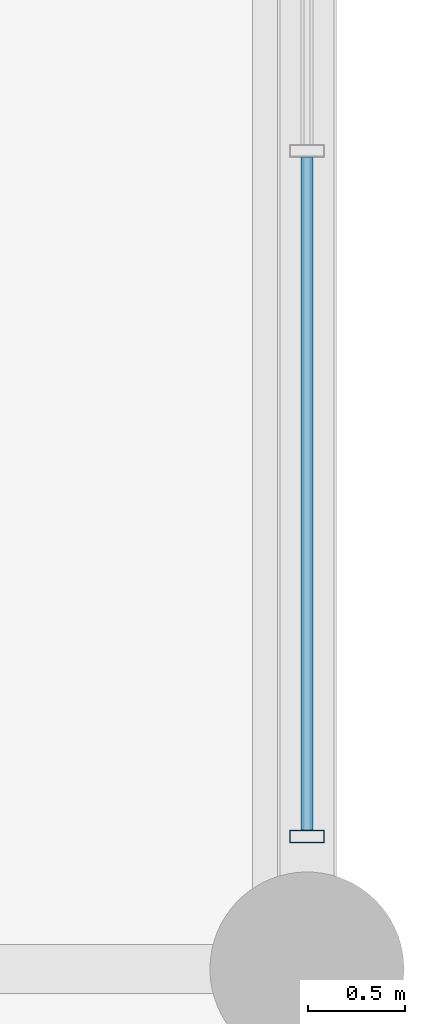
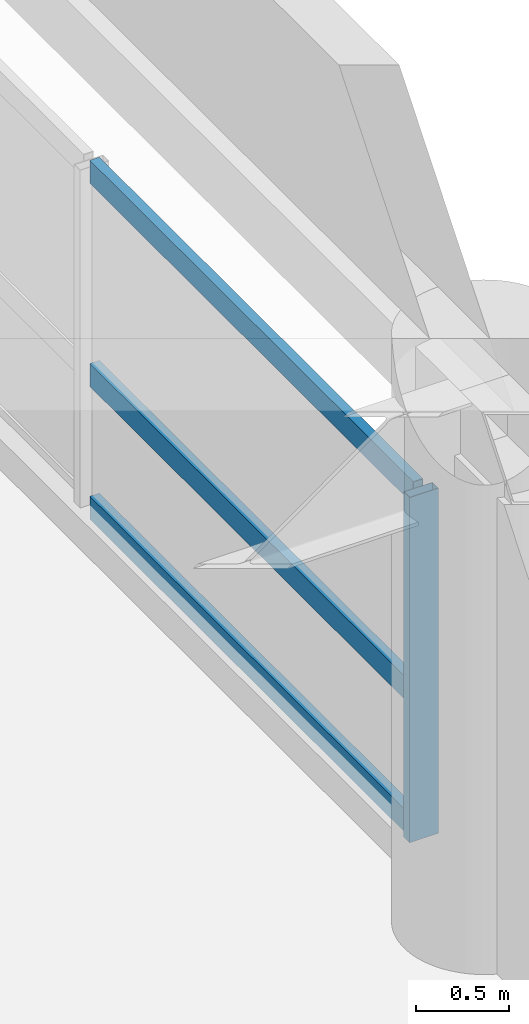
# One storey, part 74 of 108: 4 members, 1 element without a shape of its own.
"""IFC4 building model written with IfcOpenShell, lengths in metres."""

from ifc_helpers import new_model, si_unit, direction, frame, origin, origin_2d, place, context, subcontext, project, spatial, hollow_rectangle, extrude, material, material_profile, profile_set, type_object, element, aggregate, save


model = new_model("IFC4")

# Units and contexts
model_context = context("Model", 3, precision=1e-05, world=origin(), true_north=direction((0.0, 1.0)))
body_context = subcontext(model_context, "Body", "Model", "MODEL_VIEW")
ifc_project = project(units=[si_unit("LENGTHUNIT", "METRE"), si_unit("AREAUNIT", "SQUARE_METRE"), si_unit("VOLUMEUNIT", "CUBIC_METRE"), si_unit("PLANEANGLEUNIT", "RADIAN"), si_unit("MASSUNIT", "GRAM", prefix="KILO")], contexts=[model_context])

# Site, building, storey
site_placement = place(None, origin())
site = spatial("IfcSite", under=ifc_project, at=site_placement, CompositionType="ELEMENT")
building_placement = place(site_placement, origin())
building = spatial("IfcBuilding", under=site, at=building_placement, Name="Kaldorvane Square Convention Centre", CompositionType="ELEMENT")
storey_placement = place(building_placement, frame((0.0, 0.0, 23.399993896484375)))
storey = spatial("IfcBuildingStorey", under=building, at=storey_placement, Name="L04", CompositionType="ELEMENT", Elevation=23.399993896484375)

# Curtain wall, members
ifc_material = material(Name="Anodized Aluminum and Low-E Insulated Glazing", Category="aluminium")
curtain_wall_type = type_object("IfcCurtainWallType", Name="CW-UNI-P42-09", PredefinedType="USERDEFINED", material=ifc_material)
curtain_wall_placement = place(storey_placement, origin())
curtain_wall = element("IfcCurtainWall", 1, at=curtain_wall_placement, inside=storey, type_object=curtain_wall_type, Name="Curtain Wall CW-06 (L04)", ObjectType="UNITISED GLAZING", PredefinedType="USERDEFINED")
ifc_material_profile_1 = material_profile(ifc_material, hollow_rectangle(XDim=0.06500244140625, YDim=0.17999267578125, WallThickness=0.0034942626953125, at=origin_2d()), Name="CWM-180X65")
ifc_profile_set_1 = profile_set([ifc_material_profile_1], Name="Anodized Aluminum and Low-E Insulated Glazing")
member_type_1 = type_object("IfcMemberType", Name="CW-MUL-180", PredefinedType="MULLION", material=ifc_profile_set_1)
member_1_placement = place(storey_placement, frame((174.0, 84.6824951171875, 0.1500091552734375), z_axis=(0.0, 0.0, 1.0), x_axis=(0.0, 1.0, 0.0)))
member_1 = element("IfcMember", 2, at=member_1_placement, type_object=member_type_1, Name="CW-06 mullion 1", PredefinedType="MULLION", context=body_context, shape_type="SweptSolid", body=[
    extrude(hollow_rectangle(XDim=0.06500244140625, YDim=0.17999267578125, WallThickness=0.0034942626953125, at=origin_2d()), origin(), (0.0, 0.0, 1.0), 2.2599945068359375),
])
ifc_material_profile_2 = material_profile(ifc_material, hollow_rectangle(XDim=0.05999755859375, YDim=0.149993896484375, WallThickness=0.003204345703125, at=origin_2d()), Name="CWT-150X60")
ifc_profile_set_2 = profile_set([ifc_material_profile_2], Name="Anodized Aluminum and Low-E Insulated Glazing")
member_type_2 = type_object("IfcMemberType", Name="CW-TRN-150", PredefinedType="USERDEFINED", material=ifc_profile_set_2)
member_2_placement = place(storey_placement, frame((174.0, 84.71499633789062, 0.1800079345703125), z_axis=(0.0, 1.0, 0.0), x_axis=(-1.0, 0.0, 0.0)))
member_2 = element("IfcMember", 3, at=member_2_placement, type_object=member_type_2, Name="CW-06 transom 1.1", ObjectType="TRANSOM", PredefinedType="USERDEFINED", context=body_context, shape_type="SweptSolid", body=[
    extrude(hollow_rectangle(XDim=0.05999755859375, YDim=0.149993896484375, WallThickness=0.003204345703125, at=origin_2d()), origin(), (0.0, 0.0, 1.0), 3.46917724609375),
])
member_3_placement = place(storey_placement, frame((174.0, 84.71499633789062, 1.0500030517578125), z_axis=(0.0, 1.0, 0.0), x_axis=(-1.0, 0.0, 0.0)))
member_3 = element("IfcMember", 4, at=member_3_placement, type_object=member_type_2, Name="CW-06 transom 1.2", ObjectType="TRANSOM", PredefinedType="USERDEFINED", context=body_context, shape_type="SweptSolid", body=[
    extrude(hollow_rectangle(XDim=0.05999755859375, YDim=0.149993896484375, WallThickness=0.003204345703125, at=origin_2d()), origin(), (0.0, 0.0, 1.0), 3.46917724609375),
])
member_4_placement = place(storey_placement, frame((174.0, 84.71499633789062, 2.3800048828125), z_axis=(0.0, 1.0, 0.0), x_axis=(-1.0, 0.0, 0.0)))
member_4 = element("IfcMember", 5, at=member_4_placement, type_object=member_type_2, Name="CW-06 transom 1.3", ObjectType="TRANSOM", PredefinedType="USERDEFINED", context=body_context, shape_type="SweptSolid", body=[
    extrude(hollow_rectangle(XDim=0.05999755859375, YDim=0.149993896484375, WallThickness=0.003204345703125, at=origin_2d()), origin(), (0.0, 0.0, 1.0), 3.46917724609375),
])
aggregate(curtain_wall, [member_1, member_2, member_3, member_4])

save(model, "model.ifc")
